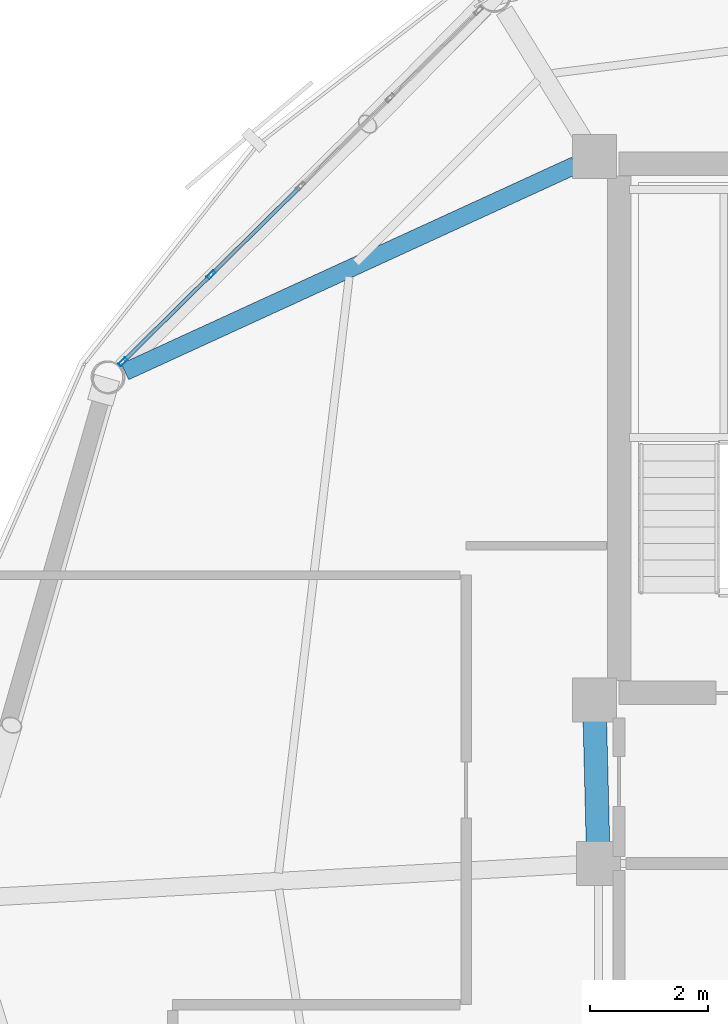
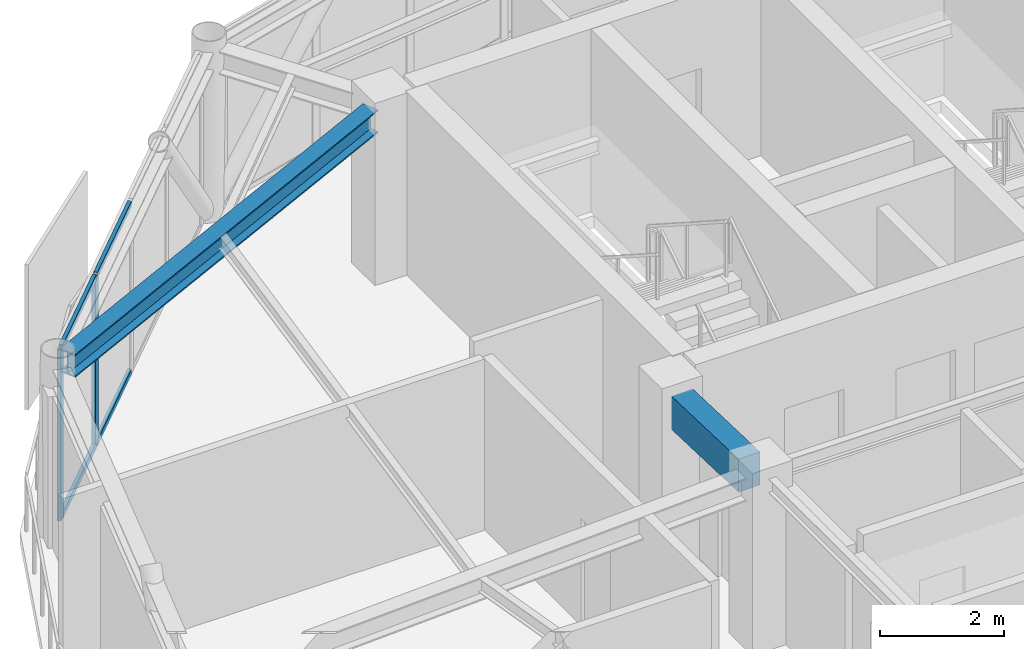
# One storey, part 11 of 26: 6 members, 2 beams, 1 element without a shape of its own.
"""IFC4 building model written with IfcOpenShell, lengths in metres."""

import ifcopenshell
import ifcopenshell.guid

model = None  # the IFC model being written
_history = None  # IfcOwnerHistory: only IFC2X3 demands one
_inside = {}  # id of a spatial element -> (the spatial element, [elements in it])
_under = {}  # id of a project, library or spatial element -> (it, [spatial elements below it])
_declared = {}  # id of a project -> (the project, [libraries it declares])
_typed = {}  # id of a type object -> (the type object, [elements of that type])
_made_of = {}  # id of a material, layer set ... -> (it, [elements and type objects made of it])


def new_model(schema):
    """Start an empty IFC model of exactly this schema.

    Asked for "IFC4X3", IfcOpenShell would pick the latest addendum, in which some entities
    have other attributes; the version numbers below select the first issue.
    IFC2X3 requires an IfcOwnerHistory on every rooted entity: one is made here for all.
    """
    global model, _history
    if schema == "IFC4X3":
        model = ifcopenshell.file(schema_version=(4, 3, 0, 0))
    else:
        model = ifcopenshell.file(schema=schema)
    _inside.clear()
    _under.clear()
    _declared.clear()
    _typed.clear()
    _made_of.clear()
    _history = None
    if model.schema == "IFC2X3":
        org = make("IfcOrganization", Name="unknown")
        user = make(
            "IfcPersonAndOrganization",
            ThePerson=make("IfcPerson", FamilyName="unknown"),
            TheOrganization=org,
        )
        app = make(
            "IfcApplication",
            ApplicationDeveloper=org,
            Version="unknown",
            ApplicationFullName="unknown",
            ApplicationIdentifier="unknown",
        )
        _history = make(
            "IfcOwnerHistory",
            OwningUser=user,
            OwningApplication=app,
            ChangeAction="ADDED",
            CreationDate=0,
        )
    return model


def make(cls, **values):
    """One entity of the class cls with the attributes given. An attribute that is None is left unset."""
    return model.create_entity(
        cls, **{name: value for name, value in values.items() if value is not None}
    )


def rooted(cls, **values):
    """An entity with a GlobalId (a new one), such as an element, a storey or a relation."""
    return make(cls, GlobalId=ifcopenshell.guid.new(), OwnerHistory=_history, **values)


def si_unit(unit_type, name, prefix=None):
    """IfcSIUnit, for example si_unit("LENGTHUNIT", "METRE", prefix="MILLI")."""
    return make("IfcSIUnit", UnitType=unit_type, Prefix=prefix, Name=name)


def assignment(units):
    """IfcUnitAssignment: the units of a project."""
    return None if units is None else make("IfcUnitAssignment", Units=units)


def point(xyz):
    """IfcCartesianPoint."""
    return None if xyz is None else make("IfcCartesianPoint", Coordinates=xyz)


def direction(xyz):
    """IfcDirection."""
    return None if xyz is None else make("IfcDirection", DirectionRatios=xyz)


def frame(location, z_axis=None, x_axis=None):
    """IfcAxis2Placement3D, a coordinate frame: its origin and axes. An axis left out is left unset."""
    return make(
        "IfcAxis2Placement3D",
        Location=point(location),
        Axis=direction(z_axis),
        RefDirection=direction(x_axis),
    )


def frame_2d(location, x_axis=None):
    """IfcAxis2Placement2D, a coordinate frame in the plane: its origin and x axis."""
    return make(
        "IfcAxis2Placement2D", Location=point(location), RefDirection=direction(x_axis)
    )


def origin():
    """The frame at (0, 0, 0) with its axes left unset."""
    return frame((0.0, 0.0, 0.0))


def origin_2d():
    """The frame at (0, 0) in the plane with its x axis left unset."""
    return frame_2d((0.0, 0.0))


def place(relative_to, where):
    """IfcLocalPlacement: puts the frame where relative to a parent placement (None: the world)."""
    return make(
        "IfcLocalPlacement", PlacementRelTo=relative_to, RelativePlacement=where
    )


def context(
    kind, dimensions, precision=None, world=None, true_north=None, identifier=None
):
    """IfcGeometricRepresentationContext, for example the 3D "Model" context."""
    return make(
        "IfcGeometricRepresentationContext",
        ContextIdentifier=identifier,
        ContextType=kind,
        CoordinateSpaceDimension=dimensions,
        Precision=precision,
        WorldCoordinateSystem=world,
        TrueNorth=true_north,
    )


def subcontext(parent, identifier, kind, view, scale=None):
    """IfcGeometricRepresentationSubContext, for example "Body" below "Model"."""
    return make(
        "IfcGeometricRepresentationSubContext",
        ContextIdentifier=identifier,
        ContextType=kind,
        ParentContext=parent,
        TargetScale=scale,
        TargetView=view,
    )


def project(units=None, contexts=None):
    """IfcProject with its units and contexts."""
    return rooted(
        "IfcProject",
        Name="project",
        RepresentationContexts=contexts,
        UnitsInContext=assignment(units),
    )


def spatial(cls, under=None, at=None, **own):
    """A site, building, storey or space (cls), placed at a placement, below another one or the project."""
    s = rooted(cls, ObjectPlacement=at, **own)
    if under is not None:
        _under.setdefault(under.id(), (under, []))[1].append(s)
    return s


def profile(cls, at=None, kind="AREA", **sizes):
    """A parametric profile (cls). Its sizes go by their IFC names, for example OverallWidth=200.0."""
    return make(cls, ProfileType=kind, Position=at, **sizes)


def rectangle(**sizes):
    """IfcRectangleProfileDef."""
    return profile("IfcRectangleProfileDef", **sizes)


def hollow_rectangle(**sizes):
    """IfcRectangleHollowProfileDef."""
    return profile("IfcRectangleHollowProfileDef", **sizes)


def i_section(**sizes):
    """IfcIShapeProfileDef."""
    return profile("IfcIShapeProfileDef", **sizes)


def extrude(swept, where, along, depth):
    """IfcExtrudedAreaSolid: the profile swept, set in the frame where, extruded along a direction by depth."""
    return make(
        "IfcExtrudedAreaSolid",
        SweptArea=swept,
        Position=where,
        ExtrudedDirection=direction(along),
        Depth=depth,
    )


def shape(context_of_items, identifier, shape_type, items):
    """IfcShapeRepresentation: the items that make up one representation, for example the "Body"."""
    return make(
        "IfcShapeRepresentation",
        ContextOfItems=context_of_items,
        RepresentationIdentifier=identifier,
        RepresentationType=shape_type,
        Items=items,
    )


def material(Name=None, Category=None):
    """IfcMaterial."""
    return make("IfcMaterial", Name=Name, Category=Category)


def layer(
    of_material, thickness, ventilated=None, Name=None, Category=None, Priority=None
):
    """IfcMaterialLayer: one layer of a wall or slab, of a material (None: an air gap)."""
    return make(
        "IfcMaterialLayer",
        Material=of_material,
        LayerThickness=thickness,
        IsVentilated=ventilated,
        Name=Name,
        Category=Category,
        Priority=Priority,
    )


def layer_set(layers, Name=None):
    """IfcMaterialLayerSet."""
    return make("IfcMaterialLayerSet", MaterialLayers=layers, LayerSetName=Name)


def material_profile(
    of_material, cross_section, Name=None, Category=None, Priority=None
):
    """IfcMaterialProfile: a cross section and its material."""
    return make(
        "IfcMaterialProfile",
        Name=Name,
        Material=of_material,
        Profile=cross_section,
        Priority=Priority,
        Category=Category,
    )


def profile_set(profiles, Name=None, composite=None):
    """IfcMaterialProfileSet."""
    return make(
        "IfcMaterialProfileSet",
        Name=Name,
        MaterialProfiles=profiles,
        CompositeProfile=composite,
    )


def made_of(thing, what):
    """Note that an element or type object is made of a material, layer set ...; save() writes the relation."""
    if what is not None:
        _made_of.setdefault(what.id(), (what, []))[1].append(thing)
    return thing


def type_object(cls, material=None, **own):
    """A type object (cls), such as IfcWallType, which elements share."""
    return made_of(rooted(cls, **own), material)


def element(
    cls,
    number,
    at=None,
    inside=None,
    cuts=None,
    type_object=None,
    material=None,
    context=None,
    identifier="Body",
    shape_type=None,
    held_by="IfcProductDefinitionShape",
    body=None,
    shapes=None,
    **own,
):
    """One element of the class cls, such as IfcWall. Its Tag is "e" and its number.

    at: its placement. inside: the storey or other place that contains it. cuts: it is an
    opening in that element (IfcRelVoidsElement). A single representation is given by context,
    identifier, shape_type and body (its items); several are given by shapes. held_by: the class
    of the entity that holds the representations. save() writes the other relations.
    """
    e = rooted(cls, Tag="e%d" % number, ObjectPlacement=at, **own)
    if body is not None:
        shapes = [shape(context, identifier, shape_type, body)]
    if shapes is not None:
        e.Representation = make(held_by, Representations=shapes)
    if inside is not None:
        _inside.setdefault(inside.id(), (inside, []))[1].append(e)
    if cuts is not None:
        rooted(
            "IfcRelVoidsElement", RelatingBuildingElement=cuts, RelatedOpeningElement=e
        )
    if type_object is not None:
        _typed.setdefault(type_object.id(), (type_object, []))[1].append(e)
    return made_of(e, material)


def aggregate(whole, parts):
    """IfcRelAggregates: a whole, such as a stair, and the parts it consists of."""
    return rooted("IfcRelAggregates", RelatingObject=whole, RelatedObjects=parts)


def save(model, path):
    """Write the relations noted so far, then the file.

    IfcRelAggregates (storeys below a building ...), IfcRelContainedInSpatialStructure (elements
    in a storey), IfcRelDefinesByType, IfcRelAssociatesMaterial and IfcRelDeclares: one each for
    every whole, place, type object, material and project.
    """
    for whole, parts in _under.values():
        aggregate(whole, parts)
    for where, things in _inside.values():
        rooted(
            "IfcRelContainedInSpatialStructure",
            RelatedElements=things,
            RelatingStructure=where,
        )
    for kind, things in _typed.values():
        rooted("IfcRelDefinesByType", RelatedObjects=things, RelatingType=kind)
    for what, things in _made_of.values():
        rooted("IfcRelAssociatesMaterial", RelatedObjects=things, RelatingMaterial=what)
    for by, libraries in _declared.values():
        rooted("IfcRelDeclares", RelatingContext=by, RelatedDefinitions=libraries)
    model.write(path)


model = new_model("IFC4")

# Units and contexts
model_context = context("Model", 3, precision=1e-05, world=origin(), true_north=direction((0.0, 1.0)))
body_context = subcontext(model_context, "Body", "Model", "MODEL_VIEW")
ifc_project = project(units=[si_unit("LENGTHUNIT", "METRE"), si_unit("AREAUNIT", "SQUARE_METRE"), si_unit("VOLUMEUNIT", "CUBIC_METRE"), si_unit("PLANEANGLEUNIT", "RADIAN"), si_unit("MASSUNIT", "GRAM", prefix="KILO")], contexts=[model_context])

# Site, building, storey
site_placement = place(None, origin())
site = spatial("IfcSite", under=ifc_project, at=site_placement, CompositionType="ELEMENT")
building_placement = place(site_placement, origin())
building = spatial("IfcBuilding", under=site, at=building_placement, Name="Varnakorn Sky Granary", CompositionType="ELEMENT")
storey_placement = place(building_placement, frame((0.0, 0.0, 270.60009765625)))
storey = spatial("IfcBuildingStorey", under=building, at=storey_placement, Name="L69", CompositionType="ELEMENT", Elevation=270.60009765625)

# Beams
ifc_material_1 = material(Name="Concrete C50/60", Category="concrete")
ifc_material_profile_1 = material_profile(ifc_material_1, rectangle(XDim=0.39990234375, YDim=0.64990234375, at=origin_2d()), Name="RC 400x650")
ifc_profile_set_1 = profile_set([ifc_material_profile_1], Name="Concrete C50/60")
beam_type_1 = type_object("IfcBeamType", Name="BM-LIN-650", PredefinedType="LINTEL", material=ifc_profile_set_1)
beam_1_placement = place(storey_placement, frame((-2.4111328125, 3.025146484375, 3.034912109375), z_axis=(0.025227817192, -0.999681727971, 0.0), x_axis=(0.999681727971, 0.025227817192, 0.0)))
element("IfcBeam", 1, at=beam_1_placement, inside=storey, type_object=beam_type_1, Name="Core Spine Framing Beam 1 L69", PredefinedType="LINTEL", context=body_context, shape_type="SweptSolid", body=[
    extrude(rectangle(XDim=0.39990234375, YDim=0.64990234375, at=origin_2d()), origin(), (0.0, 0.0, 1.0), 2.071044921875),
])
ifc_material_2 = material(Name="Steel S355JR", Category="steel")
ifc_material_profile_2 = material_profile(ifc_material_2, i_section(OverallWidth=0.300048828125, OverallDepth=0.449951171875, WebThickness=0.013916015625, FlangeThickness=0.02587890625, at=origin_2d()), Name="HE 450 B")
ifc_profile_set_2 = profile_set([ifc_material_profile_2], Name="Steel S355JR")
beam_type_2 = type_object("IfcBeamType", Name="BM-RAD-Z5", PredefinedType="BEAM", material=ifc_profile_set_2)
beam_2_placement = place(storey_placement, frame((-2.74267578125, 12.471923828125, 3.135009765625), z_axis=(-0.908957760388, -0.416888222225, 0.0), x_axis=(0.416888222225, -0.908957760388, 0.0)))
element("IfcBeam", 2, at=beam_2_placement, inside=storey, type_object=beam_type_2, Name="Radial Floor Girder RG06 L69", PredefinedType="BEAM", context=body_context, shape_type="SweptSolid", body=[
    extrude(i_section(OverallWidth=0.300048828125, OverallDepth=0.449951171875, WebThickness=0.013916015625, FlangeThickness=0.02587890625, at=origin_2d()), origin(), (0.0, 0.0, 1.0), 8.423583984375),
])

# Curtain wall, members
ifc_material_3 = material(Name="Anodised Bronze Aluminium Alloy 6063-T6", Category="aluminium")
ifc_layer = layer(ifc_material_3, 0.159912109375, Name="Anodised Bronze Aluminium Alloy 6063-T6")
ifc_layer_set = layer_set([ifc_layer], Name="Anodised Bronze Aluminium Alloy 6063-T6")
curtain_wall_type = type_object("IfcCurtainWallType", Name="CW-OFF-1", PredefinedType="USERDEFINED", material=ifc_layer_set)
curtain_wall_placement = place(storey_placement, origin())
curtain_wall = element("IfcCurtainWall", 3, at=curtain_wall_placement, inside=storey, type_object=curtain_wall_type, Name="Unitised Curtain Wall CW6 CW-L69-B05", ObjectType="CURTAIN WALL", PredefinedType="USERDEFINED")
ifc_material_profile_3 = material_profile(ifc_material_3, hollow_rectangle(XDim=0.06494140625, YDim=0.159912109375, WallThickness=0.00341796875, at=origin_2d()), Name="ALU MULL 65x160")
ifc_profile_set_3 = profile_set([ifc_material_profile_3], Name="Anodised Bronze Aluminium Alloy 6063-T6")
member_type_1 = type_object("IfcMemberType", Name="CW-OFF-1-MULL", PredefinedType="MULLION", material=ifc_profile_set_3)
member_1_placement = place(storey_placement, frame((-10.43408203125, 9.12841796875, 0.0), z_axis=(0.0, 0.0, 1.0), x_axis=(-0.702728935419, 0.711457689062, 0.0)))
member_1 = element("IfcMember", 4, at=member_1_placement, type_object=member_type_1, Name="CW6 mullion 1", PredefinedType="MULLION", context=body_context, shape_type="SweptSolid", body=[
    extrude(hollow_rectangle(XDim=0.06494140625, YDim=0.159912109375, WallThickness=0.00341796875, at=origin_2d()), origin(), (0.0, 0.0, 1.0), 3.35986328125),
])
member_2_placement = place(storey_placement, frame((-8.93505859375, 10.609130859375, 0.0), z_axis=(0.0, 0.0, 1.0), x_axis=(-0.702728935419, 0.711457689062, 0.0)))
member_2 = element("IfcMember", 5, at=member_2_placement, type_object=member_type_1, Name="CW6 mullion 2", PredefinedType="MULLION", context=body_context, shape_type="SweptSolid", body=[
    extrude(hollow_rectangle(XDim=0.06494140625, YDim=0.159912109375, WallThickness=0.00341796875, at=origin_2d()), origin(), (0.0, 0.0, 1.0), 3.35986328125),
])
ifc_material_profile_4 = material_profile(ifc_material_3, hollow_rectangle(XDim=0.06494140625, YDim=0.1201171875, WallThickness=0.00341796875, at=origin_2d()), Name="ALU TRAN 65x120")
ifc_profile_set_4 = profile_set([ifc_material_profile_4], Name="Anodised Bronze Aluminium Alloy 6063-T6")
member_type_2 = type_object("IfcMemberType", Name="CW-OFF-1-TRAN", PredefinedType="USERDEFINED", material=ifc_profile_set_4)
member_3_placement = place(storey_placement, frame((-10.410888671875, 9.1513671875, 0.032470703125), z_axis=(0.711516757365, 0.702669128387, 0.0), x_axis=(-0.702669128387, 0.711516757365, 0.0)))
member_3 = element("IfcMember", 6, at=member_3_placement, type_object=member_type_2, Name="CW6 transom 1.1", ObjectType="TRANSOM", PredefinedType="USERDEFINED", context=body_context, shape_type="SweptSolid", body=[
    extrude(hollow_rectangle(XDim=0.06494140625, YDim=0.1201171875, WallThickness=0.00341796875, at=origin_2d()), origin(), (0.0, 0.0, 1.0), 2.0419921875),
])
member_4_placement = place(storey_placement, frame((-10.410888671875, 9.1513671875, 3.327392578125), z_axis=(0.711516757365, 0.702669128387, 0.0), x_axis=(-0.702669128387, 0.711516757365, 0.0)))
member_4 = element("IfcMember", 7, at=member_4_placement, type_object=member_type_2, Name="CW6 transom 1.2", ObjectType="TRANSOM", PredefinedType="USERDEFINED", context=body_context, shape_type="SweptSolid", body=[
    extrude(hollow_rectangle(XDim=0.06494140625, YDim=0.1201171875, WallThickness=0.00341796875, at=origin_2d()), origin(), (0.0, 0.0, 1.0), 2.0419921875),
])
member_5_placement = place(storey_placement, frame((-8.911865234375, 10.6318359375, 0.032470703125), z_axis=(0.711447975493, 0.702738769506, 0.0), x_axis=(-0.702738769506, 0.711447975493, 0.0)))
member_5 = element("IfcMember", 8, at=member_5_placement, type_object=member_type_2, Name="CW6 transom 2.1", ObjectType="TRANSOM", PredefinedType="USERDEFINED", context=body_context, shape_type="SweptSolid", body=[
    extrude(hollow_rectangle(XDim=0.06494140625, YDim=0.1201171875, WallThickness=0.00341796875, at=origin_2d()), origin(), (0.0, 0.0, 1.0), 2.074462890625),
])
member_6_placement = place(storey_placement, frame((-8.911865234375, 10.6318359375, 3.327392578125), z_axis=(0.711447975493, 0.702738769506, 0.0), x_axis=(-0.702738769506, 0.711447975493, 0.0)))
member_6 = element("IfcMember", 9, at=member_6_placement, type_object=member_type_2, Name="CW6 transom 2.2", ObjectType="TRANSOM", PredefinedType="USERDEFINED", context=body_context, shape_type="SweptSolid", body=[
    extrude(hollow_rectangle(XDim=0.06494140625, YDim=0.1201171875, WallThickness=0.00341796875, at=origin_2d()), origin(), (0.0, 0.0, 1.0), 2.074462890625),
])
aggregate(curtain_wall, [member_1, member_2, member_3, member_4, member_5, member_6])

save(model, "model.ifc")
